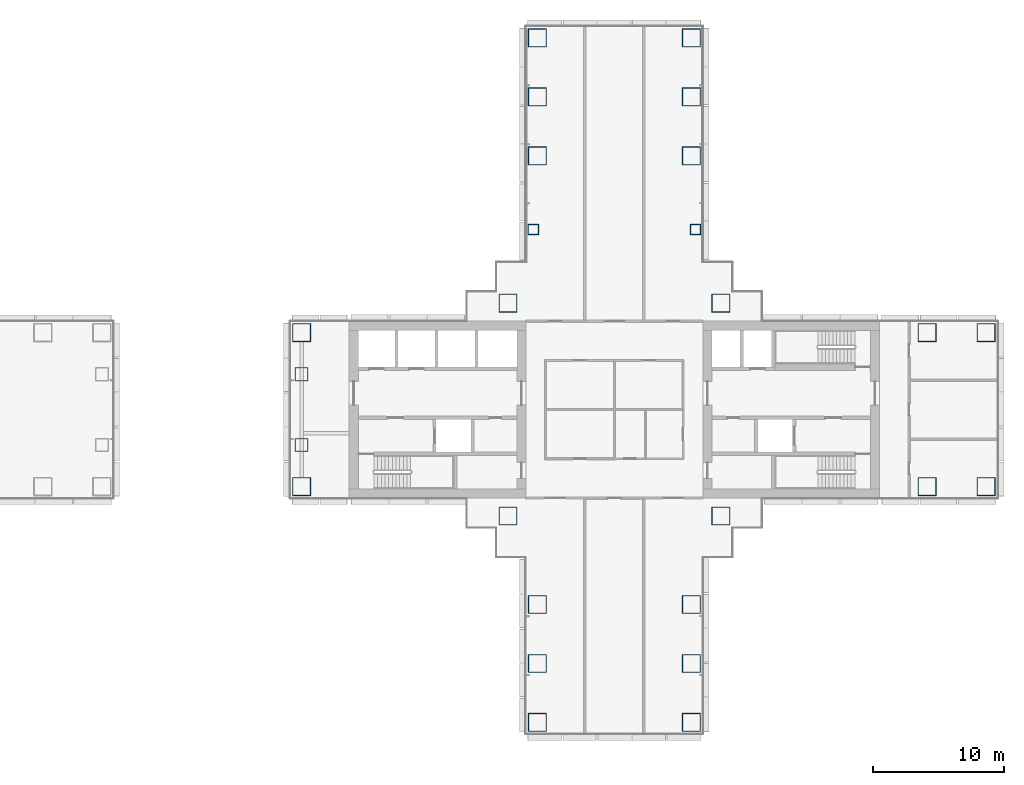
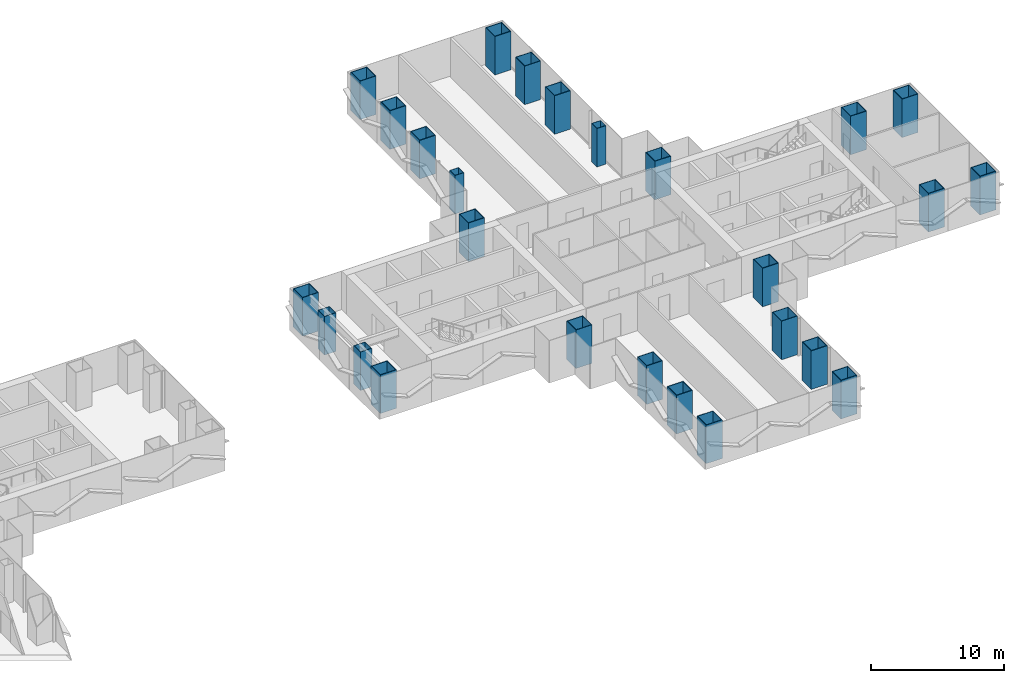
# One storey, part 2 of 21: 26 columns.
"""IFC4 building model written with IfcOpenShell, lengths in metres."""

from ifc_helpers import new_model, si_unit, direction, frame, origin, origin_2d, place, context, subcontext, project, spatial, hollow_rectangle, extrude, material, material_profile, profile_set, type_object, element, save


model = new_model("IFC4")

# Units and contexts
model_context = context("Model", 3, precision=1e-05, world=origin(), true_north=direction((0.0, 1.0)))
body_context = subcontext(model_context, "Body", "Model", "MODEL_VIEW")
ifc_project = project(units=[si_unit("LENGTHUNIT", "METRE"), si_unit("AREAUNIT", "SQUARE_METRE"), si_unit("VOLUMEUNIT", "CUBIC_METRE"), si_unit("PLANEANGLEUNIT", "RADIAN"), si_unit("MASSUNIT", "GRAM", prefix="KILO")], contexts=[model_context])

# Site, building, storey
site_placement = place(None, origin())
site = spatial("IfcSite", under=ifc_project, at=site_placement, CompositionType="ELEMENT")
building_placement = place(site_placement, origin())
building = spatial("IfcBuilding", under=site, at=building_placement, Name="Shamsa Quay Exchange Towers", CompositionType="ELEMENT")
storey_placement = place(building_placement, frame((0.0, 0.0, 57.60009765625)))
storey = spatial("IfcBuildingStorey", under=building, at=storey_placement, Name="L12", CompositionType="ELEMENT", Elevation=57.60009765625)

# Columns
ifc_material_1 = material(Name="Concrete-filled steel tube S355 / C80/95", Category="concrete")
ifc_material_profile_1 = material_profile(ifc_material_1, hollow_rectangle(XDim=1.39990234375, YDim=1.39990234375, WallThickness=0.050048828125, at=origin_2d()), Name="CFT 1400x1400x50")
ifc_profile_set_1 = profile_set([ifc_material_profile_1], Name="Concrete-filled steel tube S355 / C80/95")
column_type_1 = type_object("IfcColumnType", Name="Column CFT 1400x1400x50", PredefinedType="COLUMN", material=ifc_profile_set_1)
for number, where, name in (
    (1, (25.625, 8.125, 0.0), "Mega column T2-CM01"),
    (2, (41.875, 8.125, 0.0), "Mega column T2-CM02"),
    (3, (25.625, -8.125, 0.0), "Mega column T2-CM03"),
    (4, (41.875, -8.125, 0.0), "Mega column T2-CM04"),
    (5, (39.625, 19.375, 0.0), "Mega column T2-CM06"),
    (6, (39.625, 23.875, 0.0), "Mega column T2-CM07"),
    (7, (39.625, 28.375, 0.0), "Mega column T2-CM08"),
    (8, (27.875, 19.375, 0.0), "Mega column T2-CM10"),
    (9, (27.875, 23.875, 0.0), "Mega column T2-CM11"),
    (10, (27.875, 28.375, 0.0), "Mega column T2-CM12"),
    (11, (39.625, -14.875, 0.0), "Mega column T2-CM13"),
    (12, (39.625, -19.375, 0.0), "Mega column T2-CM14"),
    (13, (39.625, -23.875, 0.0), "Mega column T2-CM15"),
    (14, (27.875, -14.875, 0.0), "Mega column T2-CM16"),
    (15, (27.875, -19.375, 0.0), "Mega column T2-CM17"),
    (16, (27.875, -23.875, 0.0), "Mega column T2-CM18"),
    (17, (9.875, -5.875, 0.0), "Mega column T2-CM19"),
    (18, (9.875, 5.875, 0.0), "Mega column T2-CM20"),
    (19, (57.625, -5.875, 0.0), "Mega column T2-CM21"),
    (20, (62.125, -5.875, 0.0), "Mega column T2-CM22"),
    (21, (57.625, 5.875, 0.0), "Mega column T2-CM23"),
    (22, (62.125, 5.875, 0.0), "Mega column T2-CM24"),
):
    element("IfcColumn", number, at=place(storey_placement, frame(where)), inside=storey, type_object=column_type_1, Name=name, PredefinedType="COLUMN", context=body_context, shape_type="SweptSolid", body=[
        extrude(hollow_rectangle(XDim=1.39990234375, YDim=1.39990234375, WallThickness=0.050048828125, at=origin_2d()), origin(), (0.0, 0.0, 1.0), 3.5498046875),
    ])
ifc_material_2 = material(Name="Concrete-filled steel tube S355 / C60/75", Category="concrete")
ifc_material_profile_2 = material_profile(ifc_material_2, hollow_rectangle(XDim=0.800048828125, YDim=0.800048828125, WallThickness=0.02490234375, at=origin_2d()), Name="CFT 800x800x25")
ifc_profile_set_2 = profile_set([ifc_material_profile_2], Name="Concrete-filled steel tube S355 / C60/75")
column_type_2 = type_object("IfcColumnType", Name="Column CFT 800x800x25", PredefinedType="COLUMN", material=ifc_profile_set_2)
for number, where, name in (
    (23, (39.9375, 13.75, 0.0), "Perimeter column T2-CP05"),
    (24, (27.5625, 13.75, 0.0), "Perimeter column T2-CP09"),
):
    element("IfcColumn", number, at=place(storey_placement, frame(where)), inside=storey, type_object=column_type_2, Name=name, PredefinedType="COLUMN", context=body_context, shape_type="SweptSolid", body=[
        extrude(hollow_rectangle(XDim=0.800048828125, YDim=0.800048828125, WallThickness=0.02490234375, at=origin_2d()), origin(), (0.0, 0.0, 1.0), 3.5498046875),
    ])
ifc_material_3 = material(Name="Concrete-filled steel tube S355 / C70/85", Category="concrete")
ifc_material_profile_3 = material_profile(ifc_material_3, hollow_rectangle(XDim=1.0, YDim=1.0, WallThickness=0.0400390625, at=origin_2d()), Name="CFT 1000x1000x40")
ifc_profile_set_3 = profile_set([ifc_material_profile_3], Name="Concrete-filled steel tube S355 / C70/85")
column_type_3 = type_object("IfcColumnType", Name="Landing column CFT 1000x1000x40", PredefinedType="COLUMN", material=ifc_profile_set_3)
for number, where, name in (
    (25, (9.875, -2.699951171875, 0.0), "Landing column T2 S"),
    (26, (9.875, 2.699951171875, 0.0), "Landing column T2 N"),
):
    element("IfcColumn", number, at=place(storey_placement, frame(where)), inside=storey, type_object=column_type_3, Name=name, PredefinedType="COLUMN", context=body_context, shape_type="SweptSolid", body=[
        extrude(hollow_rectangle(XDim=1.0, YDim=1.0, WallThickness=0.0400390625, at=origin_2d()), origin(), (0.0, 0.0, 1.0), 3.5498046875),
    ])

save(model, "model.ifc")
